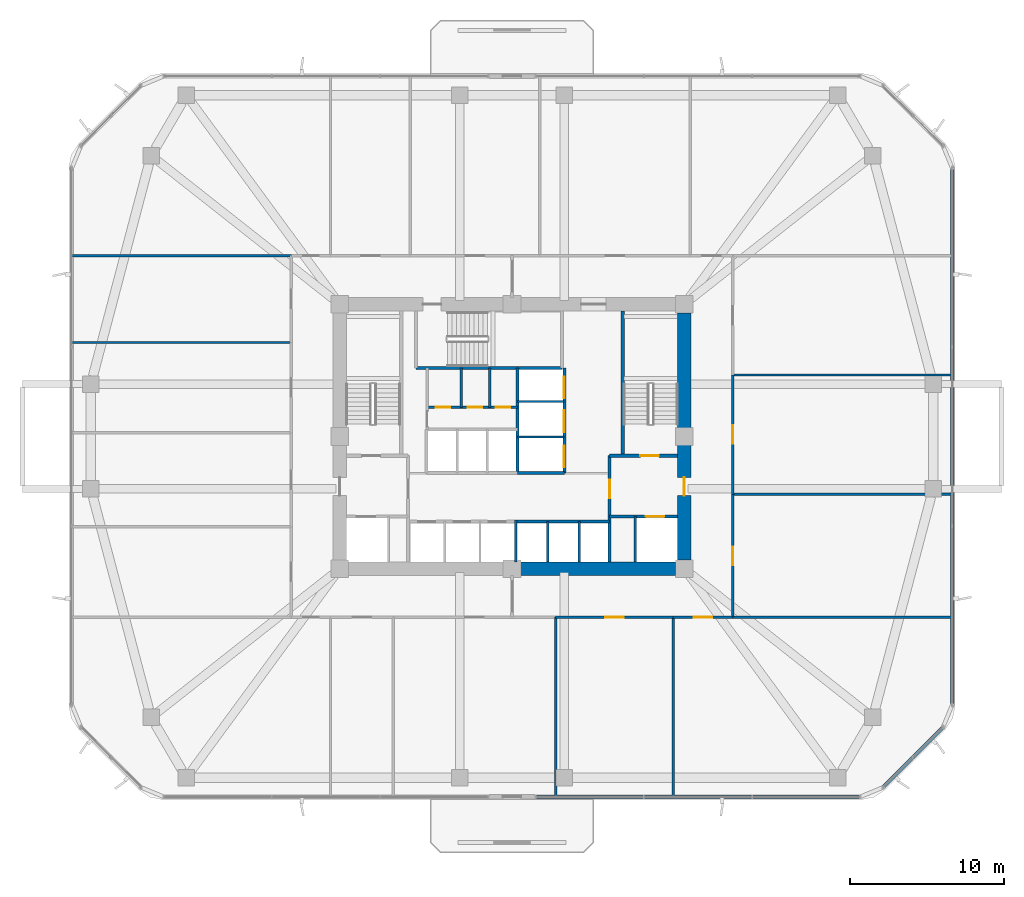
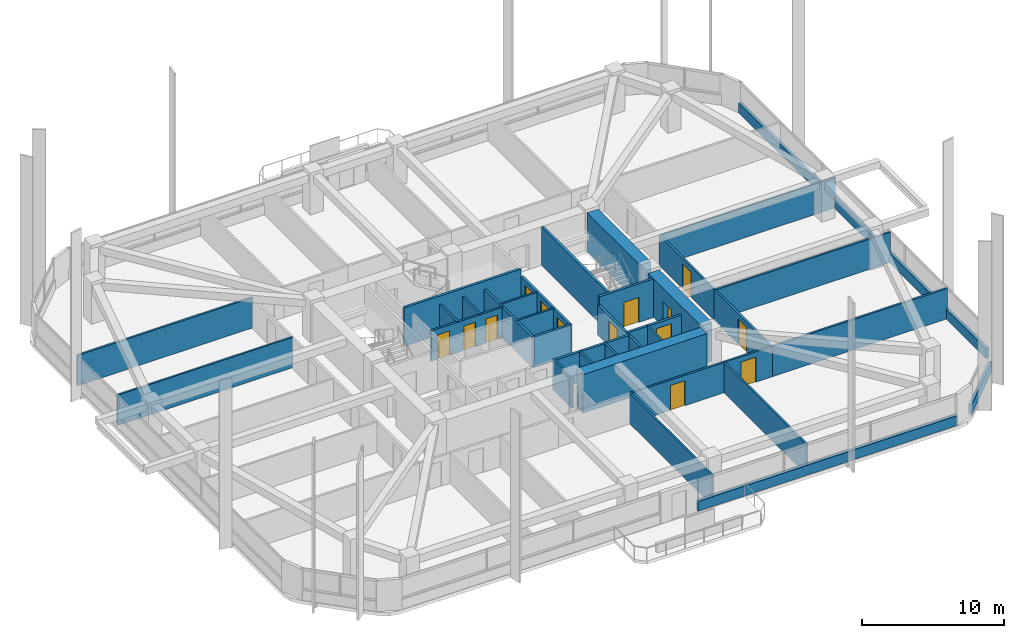
# One storey, part 10 of 17: 35 walls, 14 doors, 14 openings.
"""IFC4 building model written with IfcOpenShell, lengths in metres."""

from ifc_helpers import new_model, si_unit, derived_unit, direction, frame, frame_2d, origin, place, context, subcontext, project, spatial, rectangle, extrude, material, layer, layer_set, type_object, element, fill, save


model = new_model("IFC4")

# Units and contexts
model_context = context("Model", 3, precision=1e-05, world=origin(), true_north=direction((0.0, 1.0)))
body_context = subcontext(model_context, "Body", "Model", "MODEL_VIEW")
ifc_project = project(units=[si_unit("LENGTHUNIT", "METRE"), si_unit("AREAUNIT", "SQUARE_METRE"), si_unit("VOLUMEUNIT", "CUBIC_METRE"), si_unit("PLANEANGLEUNIT", "RADIAN"), si_unit("MASSUNIT", "GRAM", prefix="KILO"), derived_unit("THERMALTRANSMITTANCEUNIT", [(si_unit("POWERUNIT", "WATT"), 1), (si_unit("LENGTHUNIT", "METRE"), -2), (si_unit("THERMODYNAMICTEMPERATUREUNIT", "KELVIN"), -1)])], contexts=[model_context])

# Site, building, storey
site_placement = place(None, origin())
site = spatial("IfcSite", under=ifc_project, at=site_placement, CompositionType="ELEMENT")
building_placement = place(site_placement, origin())
building = spatial("IfcBuilding", under=site, at=building_placement, Name="Koralith Skygarden Medical Center", CompositionType="ELEMENT")
storey_placement = place(building_placement, frame((0.0, 0.0, 52.739990234375)))
storey = spatial("IfcBuildingStorey", under=building, at=storey_placement, Name="L13", CompositionType="ELEMENT", Elevation=52.739990234375)

# Walls
ifc_material_1 = material(Name="Gypsum Board Partition")
ifc_layer_1 = layer(ifc_material_1, 0.14990234375)
ifc_layer_set_1 = layer_set([ifc_layer_1], Name="Gypsum Board Partition")
wall_type_1 = type_object("IfcWallType", Name="Clinical Acoustic Partition 150", PredefinedType="PARTITIONING", material=ifc_layer_set_1)
for number, where, z_axis, x_axis, name in (
    (1, (33.699951171875, 27.800048828125, 0.0), (0.0, 0.0, 1.0), (0.0, 1.0, 0.0), "L13 Clinical Acoustic Partition 150 W-CORE-L13-FLEX-V2A"),
    (2, (35.56005859375, 27.800048828125, 0.0), (0.0, 0.0, 1.0), (0.0, 1.0, 0.0), "L13 Clinical Acoustic Partition 150 W-CORE-L13-FLEX-V2B"),
):
    element("IfcWall", number, at=place(storey_placement, frame(where, z_axis=z_axis, x_axis=x_axis)), inside=storey, type_object=wall_type_1, Name=name, PredefinedType="PARTITIONING", context=body_context, shape_type="SweptSolid", body=[
        extrude(rectangle(XDim=2.56005859375, YDim=0.14990234375, at=frame_2d((1.280029296875, 0.0))), origin(), (0.0, 0.0, 1.0), 2.610107421875),
    ])
for number, where, z_axis, x_axis, name in (
    (3, (39.8349609375, 14.14990234375, 0.0), (0.0, 0.0, 1.0), (0.0, -1.0, 0.0), "L13 Clinical Acoustic Partition 150 W-PART-L13-S-03"),
    (4, (47.47998046875, 14.14990234375, 0.0), (0.0, 0.0, 1.0), (0.0, -1.0, 0.0), "L13 Clinical Acoustic Partition 150 W-PART-L13-S-04"),
):
    element("IfcWall", number, at=place(storey_placement, frame(where, z_axis=z_axis, x_axis=x_axis)), inside=storey, type_object=wall_type_1, Name=name, PredefinedType="PARTITIONING", context=body_context, shape_type="SweptSolid", body=[
        extrude(rectangle(XDim=11.64990234375, YDim=0.14990234375, at=frame_2d((5.824951171875, 0.0))), origin(), (0.0, 0.0, 1.0), 2.610107421875),
    ])
for number, where, z_axis, x_axis, name in (
    (5, (22.64990234375, 32.010009765625, 0.0), (0.0, 0.0, 1.0), (-1.0, 0.0, 0.0), "L13 Clinical Acoustic Partition 150 W-PART-L13-W-03"),
    (6, (51.35009765625, 22.139892578125, 0.0), (0.0, 0.0, 1.0), (1.0, 0.0, 0.0), "L13 Clinical Acoustic Partition 150 W-PART-L13-E-01"),
    (7, (51.35009765625, 29.89501953125, 0.0), (0.0, 0.0, 1.0), (1.0, 0.0, 0.0), "L13 Clinical Acoustic Partition 150 W-PART-L13-E-02"),
):
    element("IfcWall", number, at=place(storey_placement, frame(where, z_axis=z_axis, x_axis=x_axis)), inside=storey, type_object=wall_type_1, Name=name, PredefinedType="PARTITIONING", context=body_context, shape_type="SweptSolid", body=[
        extrude(rectangle(XDim=14.25, YDim=0.14990234375, at=frame_2d((7.125, 0.0))), origin(), (0.0, 0.0, 1.0), 2.610107421875),
    ])
ifc_layer_2 = layer(ifc_material_1, 0.1650390625)
ifc_layer_set_2 = layer_set([ifc_layer_2], Name="Gypsum Board Partition")
wall_type_2 = type_object("IfcWallType", Name="Clinical Corridor Partition 165", PredefinedType="PARTITIONING", material=ifc_layer_set_2)
for number, where, z_axis, x_axis, name in (
    (8, (8.39990234375, 37.64990234375, 0.0), (0.0, 0.0, 1.0), (1.0, 0.0, 0.0), "L13 Clinical Corridor Partition 165 W-WB-L13-NW"),
    (9, (51.35009765625, 14.14990234375, 0.0), (0.0, 0.0, 1.0), (1.0, 0.0, 0.0), "L13 Clinical Corridor Partition 165 W-WB-L13-SE"),
):
    element("IfcWall", number, at=place(storey_placement, frame(where, z_axis=z_axis, x_axis=x_axis)), inside=storey, type_object=wall_type_2, Name=name, PredefinedType="PARTITIONING", context=body_context, shape_type="SweptSolid", body=[
        extrude(rectangle(XDim=14.25, YDim=0.1650390625, at=frame_2d((7.125, 0.0))), origin(), (0.0, 0.0, 1.0), 2.610107421875),
    ])

# Wall, opening, door
wall_1_placement = place(storey_placement, frame((39.8349609375, 14.14990234375, 0.0), z_axis=(0.0, 0.0, 1.0), x_axis=(1.0, 0.0, 0.0)))
wall_1 = element("IfcWall", 10, at=wall_1_placement, inside=storey, type_object=wall_type_2, Name="L13 Clinical Corridor Partition 165 W-CORR-L13-S-04", PredefinedType="PARTITIONING", context=body_context, shape_type="SweptSolid", body=[
    extrude(rectangle(XDim=7.64501953125, YDim=0.1650390625, at=frame_2d((3.822509765625, 0.0))), origin(), (0.0, 0.0, 1.0), 2.610107421875),
])
opening_1_placement = place(wall_1_placement, frame((3.221923828125, 0.0, 0.0)))
opening_1 = element("IfcOpeningElement", 11, at=opening_1_placement, cuts=wall_1, Name="Opening D-CLN", PredefinedType="OPENING", context=body_context, shape_type="SweptSolid", body=[
    extrude(rectangle(XDim=1.199951171875, YDim=2.14990234375, at=frame_2d((0.60009765625, 1.074951171875))), frame((0.0, 0.092529296875, 0.0), z_axis=(0.0, -1.0, 0.0), x_axis=(1.0, 0.0, 0.0)), (0.0, 0.0, 1.0), 0.18505859375),
])
ifc_material_2 = material(Name="Aluminium 6063-T6", Category="aluminium")
door_type_1 = type_object("IfcDoorType", Name="Clinical Corridor Door D-CLN 1200", OperationType="NOTDEFINED", PredefinedType="DOOR", material=ifc_material_2)
door_1_placement = place(opening_1_placement, frame((1.199951171875, 0.0, 0.0), z_axis=(0.0, 0.0, 1.0), x_axis=(-1.0, 0.0, 0.0)))
door_1 = element("IfcDoor", 12, at=door_1_placement, inside=storey, type_object=door_type_1, Name="L13 Hospitality Beverage Pantry 09 Door", OperationType="SINGLE_SWING_RIGHT", OverallHeight=2.14990234375, OverallWidth=1.199951171875, PredefinedType="DOOR", context=body_context, shape_type="SweptSolid", body=[
    extrude(rectangle(XDim=1.199951171875, YDim=2.14990234375, at=frame_2d((0.60009765625, 1.074951171875))), frame((0.0, 0.02490234375, 0.0), z_axis=(0.0, -1.0, 0.0), x_axis=(1.0, 0.0, 0.0)), (0.0, 0.0, 1.0), 0.050048828125),
])
fill(opening_1, door_1)

wall_2_placement = place(storey_placement, frame((47.47998046875, 14.14990234375, 0.0), z_axis=(0.0, 0.0, 1.0), x_axis=(1.0, 0.0, 0.0)))
wall_2 = element("IfcWall", 13, at=wall_2_placement, inside=storey, type_object=wall_type_2, Name="L13 Clinical Corridor Partition 165 W-CORR-L13-S-05", PredefinedType="PARTITIONING", context=body_context, shape_type="SweptSolid", body=[
    extrude(rectangle(XDim=3.8701171875, YDim=0.1650390625, at=frame_2d((1.93505859375, 0.0))), origin(), (0.0, 0.0, 1.0), 2.610107421875),
])
opening_2_placement = place(wall_2_placement, frame((1.3349609375, 0.0, 0.0)))
opening_2 = element("IfcOpeningElement", 14, at=opening_2_placement, cuts=wall_2, Name="Opening D-CLN", PredefinedType="OPENING", context=body_context, shape_type="SweptSolid", body=[
    extrude(rectangle(XDim=1.199951171875, YDim=2.14990234375, at=frame_2d((0.60009765625, 1.074951171875))), frame((0.0, 0.092529296875, 0.0), z_axis=(0.0, -1.0, 0.0), x_axis=(1.0, 0.0, 0.0)), (0.0, 0.0, 1.0), 0.18505859375),
])
door_2_placement = place(opening_2_placement, frame((1.199951171875, 0.0, 0.0), z_axis=(0.0, 0.0, 1.0), x_axis=(-1.0, 0.0, 0.0)))
door_2 = element("IfcDoor", 15, at=door_2_placement, inside=storey, type_object=door_type_1, Name="L13 Academic Faculty Office 10 Door", OperationType="SINGLE_SWING_LEFT", OverallHeight=2.14990234375, OverallWidth=1.199951171875, PredefinedType="DOOR", context=body_context, shape_type="SweptSolid", body=[
    extrude(rectangle(XDim=1.199951171875, YDim=2.14990234375, at=frame_2d((0.60009765625, 1.074951171875))), frame((0.0, 0.02490234375, 0.0), z_axis=(0.0, -1.0, 0.0), x_axis=(1.0, 0.0, 0.0)), (0.0, 0.0, 1.0), 0.050048828125),
])
fill(opening_2, door_2)

wall_3_placement = place(storey_placement, frame((51.35009765625, 14.14990234375, 0.0), z_axis=(0.0, 0.0, 1.0), x_axis=(0.0, 1.0, 0.0)))
wall_3 = element("IfcWall", 16, at=wall_3_placement, inside=storey, type_object=wall_type_2, Name="L13 Clinical Corridor Partition 165 W-CORR-L13-E-01", PredefinedType="PARTITIONING", context=body_context, shape_type="SweptSolid", body=[
    extrude(rectangle(XDim=7.989990234375, YDim=0.1650390625, at=frame_2d((3.9951171875, 0.0))), origin(), (0.0, 0.0, 1.0), 2.610107421875),
])
opening_3_placement = place(wall_3_placement, frame((3.39501953125, 0.0, 0.0)))
opening_3 = element("IfcOpeningElement", 17, at=opening_3_placement, cuts=wall_3, Name="Opening D-CLN", PredefinedType="OPENING", context=body_context, shape_type="SweptSolid", body=[
    extrude(rectangle(XDim=1.199951171875, YDim=2.14990234375, at=frame_2d((0.60009765625, 1.074951171875))), frame((0.0, 0.092529296875, 0.0), z_axis=(0.0, -1.0, 0.0), x_axis=(1.0, 0.0, 0.0)), (0.0, 0.0, 1.0), 0.18505859375),
])
door_3_placement = place(opening_3_placement, origin())
door_3 = element("IfcDoor", 18, at=door_3_placement, inside=storey, type_object=door_type_1, Name="L13 Clinical Simulation Classroom 15 Door", OperationType="SINGLE_SWING_RIGHT", OverallHeight=2.14990234375, OverallWidth=1.199951171875, PredefinedType="DOOR", context=body_context, shape_type="SweptSolid", body=[
    extrude(rectangle(XDim=1.199951171875, YDim=2.14990234375, at=frame_2d((0.60009765625, 1.074951171875))), frame((0.0, 0.02490234375, 0.0), z_axis=(0.0, -1.0, 0.0), x_axis=(1.0, 0.0, 0.0)), (0.0, 0.0, 1.0), 0.050048828125),
])
fill(opening_3, door_3)

wall_4_placement = place(storey_placement, frame((51.35009765625, 22.139892578125, 0.0), z_axis=(0.0, 0.0, 1.0), x_axis=(0.0, 1.0, 0.0)))
wall_4 = element("IfcWall", 19, at=wall_4_placement, inside=storey, type_object=wall_type_2, Name="L13 Clinical Corridor Partition 165 W-CORR-L13-E-02", PredefinedType="PARTITIONING", context=body_context, shape_type="SweptSolid", body=[
    extrude(rectangle(XDim=7.755126953125, YDim=0.1650390625, at=frame_2d((3.87744140625, 0.0))), origin(), (0.0, 0.0, 1.0), 2.610107421875),
])
opening_4_placement = place(wall_4_placement, frame((3.277099609375, 0.0, 0.0)))
opening_4 = element("IfcOpeningElement", 20, at=opening_4_placement, cuts=wall_4, Name="Opening D-CLN", PredefinedType="OPENING", context=body_context, shape_type="SweptSolid", body=[
    extrude(rectangle(XDim=1.199951171875, YDim=2.14990234375, at=frame_2d((0.60009765625, 1.074951171875))), frame((0.0, 0.092529296875, 0.0), z_axis=(0.0, -1.0, 0.0), x_axis=(1.0, 0.0, 0.0)), (0.0, 0.0, 1.0), 0.18505859375),
])
door_4_placement = place(opening_4_placement, origin())
door_4 = element("IfcDoor", 21, at=door_4_placement, inside=storey, type_object=door_type_1, Name="L13 Grand Rounds Conference Room 16 Door", OperationType="SINGLE_SWING_LEFT", OverallHeight=2.14990234375, OverallWidth=1.199951171875, PredefinedType="DOOR", context=body_context, shape_type="SweptSolid", body=[
    extrude(rectangle(XDim=1.199951171875, YDim=2.14990234375, at=frame_2d((0.60009765625, 1.074951171875))), frame((0.0, 0.02490234375, 0.0), z_axis=(0.0, -1.0, 0.0), x_axis=(1.0, 0.0, 0.0)), (0.0, 0.0, 1.0), 0.050048828125),
])
fill(opening_4, door_4)

ifc_layer_3 = layer(ifc_material_1, 0.199951171875)
ifc_layer_set_3 = layer_set([ifc_layer_3], Name="Gypsum Board Partition")
wall_type_3 = type_object("IfcWallType", Name="Fire Shaft Wall 200", PredefinedType="SOLIDWALL", material=ifc_layer_set_3)
wall_5_placement = place(storey_placement, frame((43.35009765625, 20.699951171875, 0.0), z_axis=(0.0, 0.0, 1.0), x_axis=(1.0, 0.0, 0.0)))
wall_5 = element("IfcWall", 22, at=wall_5_placement, inside=storey, type_object=wall_type_3, Name="L13 Fire Shaft Wall 200 W-CORE-L13-FF2-N", PredefinedType="SOLIDWALL", context=body_context, shape_type="SweptSolid", body=[
    extrude(rectangle(XDim=4.39990234375, YDim=0.199951171875, at=frame_2d((2.199951171875, 0.0))), origin(), (0.0, 0.0, 1.0), 2.610107421875),
])
opening_5_placement = place(wall_5_placement, frame((2.35009765625, 0.0, 0.0)))
opening_5 = element("IfcOpeningElement", 23, at=opening_5_placement, cuts=wall_5, Name="Opening LD-FF", PredefinedType="OPENING", context=body_context, shape_type="SweptSolid", body=[
    extrude(rectangle(XDim=1.199951171875, YDim=2.14990234375, at=frame_2d((0.60009765625, 1.074951171875))), frame((0.0, 0.10986328125, 0.0), z_axis=(0.0, -1.0, 0.0), x_axis=(1.0, 0.0, 0.0)), (0.0, 0.0, 1.0), 0.219970703125),
])
ifc_material_3 = material(Name="Steel ASTM A500 Grade C", Category="steel")
door_type_2 = type_object("IfcDoorType", Name="Fire Lift Sliding Landing Door LD-FF 1200", OperationType="NOTDEFINED", PredefinedType="DOOR", material=ifc_material_3)
door_5_placement = place(opening_5_placement, origin())
door_5 = element("IfcDoor", 24, at=door_5_placement, inside=storey, type_object=door_type_2, Name="L13 Fire Service Elevator FF2 Landing Door", OperationType="SLIDING_TO_RIGHT", OverallHeight=2.14990234375, OverallWidth=1.199951171875, PredefinedType="DOOR", context=body_context, shape_type="SweptSolid", body=[
    extrude(rectangle(XDim=1.199951171875, YDim=2.14990234375, at=frame_2d((0.60009765625, 1.074951171875))), frame((0.0, 0.02490234375, 0.0), z_axis=(0.0, -1.0, 0.0), x_axis=(1.0, 0.0, 0.0)), (0.0, 0.0, 1.0), 0.050048828125),
])
fill(opening_5, door_5)

wall_6_placement = place(storey_placement, frame((43.35009765625, 17.75, 0.0), z_axis=(0.0, 0.0, 1.0), x_axis=(0.0, 1.0, 0.0)))
wall_6 = element("IfcWall", 25, at=wall_6_placement, inside=storey, type_object=wall_type_3, Name="L13 Fire Shaft Wall 200 W-CORE-L13-FSAEE-W", PredefinedType="SOLIDWALL", context=body_context, shape_type="SweptSolid", body=[
    extrude(rectangle(XDim=6.89990234375, YDim=0.199951171875, at=frame_2d((3.449951171875, 0.0))), origin(), (0.0, 0.0, 1.0), 2.610107421875),
])
opening_6_placement = place(wall_6_placement, frame((4.14990234375, 0.0, 0.0)))
opening_6 = element("IfcOpeningElement", 26, at=opening_6_placement, cuts=wall_6, Name="Opening D-ST60", PredefinedType="OPENING", context=body_context, shape_type="SweptSolid", body=[
    extrude(rectangle(XDim=1.199951171875, YDim=2.14990234375, at=frame_2d((0.60009765625, 1.074951171875))), frame((0.0, 0.10986328125, 0.0), z_axis=(0.0, -1.0, 0.0), x_axis=(1.0, 0.0, 0.0)), (0.0, 0.0, 1.0), 0.219970703125),
])
door_type_3 = type_object("IfcDoorType", Name="Smokeproof Stair Fire Door FD60S 1200", OperationType="NOTDEFINED", PredefinedType="DOOR", material=ifc_material_3)
door_6_placement = place(opening_6_placement, frame((1.199951171875, 0.0, 0.0), z_axis=(0.0, 0.0, 1.0), x_axis=(-1.0, 0.0, 0.0)))
door_6 = element("IfcDoor", 27, at=door_6_placement, inside=storey, type_object=door_type_3, Name="L13 East Firefighting Lobby Inner Fire Door", OperationType="SINGLE_SWING_RIGHT", OverallHeight=2.14990234375, OverallWidth=1.199951171875, PredefinedType="DOOR", context=body_context, shape_type="SweptSolid", body=[
    extrude(rectangle(XDim=1.199951171875, YDim=2.14990234375, at=frame_2d((0.60009765625, 1.074951171875))), frame((0.0, 0.02490234375, 0.0), z_axis=(0.0, -1.0, 0.0), x_axis=(1.0, 0.0, 0.0)), (0.0, 0.0, 1.0), 0.050048828125),
])
fill(opening_6, door_6)

# Walls
wall_7_placement = place(storey_placement, frame((37.25, 20.360107421875, 0.0), z_axis=(0.0, 0.0, 1.0), x_axis=(1.0, 0.0, 0.0)))
element("IfcWall", 28, at=wall_7_placement, inside=storey, type_object=wall_type_3, Name="L13 Fire Shaft Wall 200 W-CORE-L13-PM-N", PredefinedType="SOLIDWALL", context=body_context, shape_type="SweptSolid", body=[
    extrude(rectangle(XDim=6.10009765625, YDim=0.199951171875, at=frame_2d((3.050048828125, 0.0))), origin(), (0.0, 0.0, 1.0), 2.610107421875),
])
wall_8_placement = place(storey_placement, frame((37.35009765625, 23.5400390625, 0.0), z_axis=(0.0, 0.0, 1.0), x_axis=(0.0, 1.0, 0.0)))
element("IfcWall", 29, at=wall_8_placement, inside=storey, type_object=wall_type_3, Name="L13 Fire Shaft Wall 200 W-CORE-L13-SV-W", PredefinedType="SOLIDWALL", context=body_context, shape_type="SweptSolid", body=[
    extrude(rectangle(XDim=6.820068359375, YDim=0.199951171875, at=frame_2d((3.41015625, 0.0))), origin(), (0.0, 0.0, 1.0), 2.610107421875),
])
wall_9_placement = place(storey_placement, frame((37.35009765625, 23.5400390625, 0.0), z_axis=(0.0, 0.0, 1.0), x_axis=(1.0, 0.0, 0.0)))
element("IfcWall", 30, at=wall_9_placement, inside=storey, type_object=wall_type_3, Name="L13 Fire Shaft Wall 200 W-CORE-L13-SV-S", PredefinedType="SOLIDWALL", context=body_context, shape_type="SweptSolid", body=[
    extrude(rectangle(XDim=3.0498046875, YDim=0.199951171875, at=frame_2d((1.52490234375, 0.0))), origin(), (0.0, 0.0, 1.0), 2.610107421875),
])

# Wall, openings, doors
wall_10_placement = place(storey_placement, frame((40.39990234375, 23.5400390625, 0.0), z_axis=(0.0, 0.0, 1.0), x_axis=(0.0, 1.0, 0.0)))
wall_10 = element("IfcWall", 31, at=wall_10_placement, inside=storey, type_object=wall_type_3, Name="L13 Fire Shaft Wall 200 W-CORE-L13-SV-E", PredefinedType="SOLIDWALL", context=body_context, shape_type="SweptSolid", body=[
    extrude(rectangle(XDim=6.820068359375, YDim=0.199951171875, at=frame_2d((3.41015625, 0.0))), origin(), (0.0, 0.0, 1.0), 2.610107421875),
])
opening_7_placement = place(wall_10_placement, frame((0.35009765625, 0.0, 0.0)))
opening_7 = element("IfcOpeningElement", 32, at=opening_7_placement, cuts=wall_10, Name="Opening LD-SV", PredefinedType="OPENING", context=body_context, shape_type="SweptSolid", body=[
    extrude(rectangle(XDim=1.39990234375, YDim=2.199951171875, at=frame_2d((0.699951171875, 1.10009765625))), frame((0.0, 0.10986328125, 0.0), z_axis=(0.0, -1.0, 0.0), x_axis=(1.0, 0.0, 0.0)), (0.0, 0.0, 1.0), 0.219970703125),
])
opening_8_placement = place(wall_10_placement, frame((2.64990234375, 0.0, 0.0)))
opening_8 = element("IfcOpeningElement", 33, at=opening_8_placement, cuts=wall_10, Name="Opening LD-SV", PredefinedType="OPENING", context=body_context, shape_type="SweptSolid", body=[
    extrude(rectangle(XDim=1.39990234375, YDim=2.199951171875, at=frame_2d((0.699951171875, 1.10009765625))), frame((0.0, 0.10986328125, 0.0), z_axis=(0.0, -1.0, 0.0), x_axis=(1.0, 0.0, 0.0)), (0.0, 0.0, 1.0), 0.219970703125),
])
opening_9_placement = place(wall_10_placement, frame((4.85009765625, 0.0, 0.0)))
opening_9 = element("IfcOpeningElement", 34, at=opening_9_placement, cuts=wall_10, Name="Opening LD-SV", PredefinedType="OPENING", context=body_context, shape_type="SweptSolid", body=[
    extrude(rectangle(XDim=1.39990234375, YDim=2.199951171875, at=frame_2d((0.699951171875, 1.10009765625))), frame((0.0, 0.10986328125, 0.0), z_axis=(0.0, -1.0, 0.0), x_axis=(1.0, 0.0, 0.0)), (0.0, 0.0, 1.0), 0.219970703125),
])
door_type_4 = type_object("IfcDoorType", Name="Bed Lift Sliding Landing Door LD-SV 1400", OperationType="NOTDEFINED", PredefinedType="DOOR", material=ifc_material_3)
door_7_placement = place(opening_7_placement, origin())
door_7 = element("IfcDoor", 35, at=door_7_placement, inside=storey, type_object=door_type_4, Name="L13 Bed Elevator BD1 Landing Door", OperationType="SLIDING_TO_LEFT", OverallHeight=2.199951171875, OverallWidth=1.39990234375, PredefinedType="DOOR", context=body_context, shape_type="SweptSolid", body=[
    extrude(rectangle(XDim=1.39990234375, YDim=2.199951171875, at=frame_2d((0.699951171875, 1.10009765625))), frame((0.0, 0.02490234375, 0.0), z_axis=(0.0, -1.0, 0.0), x_axis=(1.0, 0.0, 0.0)), (0.0, 0.0, 1.0), 0.050048828125),
])
fill(opening_7, door_7)
door_8_placement = place(opening_8_placement, origin())
door_8 = element("IfcDoor", 36, at=door_8_placement, inside=storey, type_object=door_type_4, Name="L13 Service Elevator BD2 Landing Door", OperationType="SLIDING_TO_LEFT", OverallHeight=2.199951171875, OverallWidth=1.39990234375, PredefinedType="DOOR", context=body_context, shape_type="SweptSolid", body=[
    extrude(rectangle(XDim=1.39990234375, YDim=2.199951171875, at=frame_2d((0.699951171875, 1.10009765625))), frame((0.0, 0.02490234375, 0.0), z_axis=(0.0, -1.0, 0.0), x_axis=(1.0, 0.0, 0.0)), (0.0, 0.0, 1.0), 0.050048828125),
])
fill(opening_8, door_8)
door_9_placement = place(opening_9_placement, origin())
door_9 = element("IfcDoor", 37, at=door_9_placement, inside=storey, type_object=door_type_4, Name="L13 Trauma Elevator TR1 Landing Door", OperationType="SLIDING_TO_RIGHT", OverallHeight=2.199951171875, OverallWidth=1.39990234375, PredefinedType="DOOR", context=body_context, shape_type="SweptSolid", body=[
    extrude(rectangle(XDim=1.39990234375, YDim=2.199951171875, at=frame_2d((0.699951171875, 1.10009765625))), frame((0.0, 0.02490234375, 0.0), z_axis=(0.0, -1.0, 0.0), x_axis=(1.0, 0.0, 0.0)), (0.0, 0.0, 1.0), 0.050048828125),
])
fill(opening_9, door_9)

# Walls
ifc_material_4 = material(Name="Warm Oolitic Limestone Cladding", Category="masonry")
ifc_layer_4 = layer(ifc_material_4, 0.239990234375)
ifc_layer_set_4 = layer_set([ifc_layer_4], Name="Warm Oolitic Limestone Cladding")
wall_type_4 = type_object("IfcWallType", Name="Limestone Spandrel Sill Backup Wall 240", PredefinedType="SOLIDWALL", material=ifc_layer_set_4)
wall_11_placement = place(storey_placement, frame((38.5400390625, 2.47998046875, 0.0), z_axis=(0.0, 0.0, 1.0), x_axis=(1.0, 0.0, 0.0)))
element("IfcWall", 38, at=wall_11_placement, inside=storey, type_object=wall_type_4, Name="L13 Sill Spandrel S-R", PredefinedType="SOLIDWALL", context=body_context, shape_type="SweptSolid", body=[
    extrude(rectangle(XDim=21.10498046875, YDim=0.239990234375, at=frame_2d((10.552490234375, 0.0))), origin(), (0.0, 0.0, 1.0), 0.85009765625),
])
wall_12_placement = place(storey_placement, frame((61.095947265625, 3.0810546875, 0.0), z_axis=(0.0, 0.0, 1.0), x_axis=(0.707128783731, 0.707084777957, 0.0)))
element("IfcWall", 39, at=wall_12_placement, inside=storey, type_object=wall_type_4, Name="L13 Sill Spandrel SE", PredefinedType="SOLIDWALL", context=body_context, shape_type="SweptSolid", body=[
    extrude(rectangle(XDim=5.5478515625, YDim=0.239990234375, at=frame_2d((2.77392578125, 0.0))), origin(), (0.0, 0.0, 1.0), 0.85009765625),
])
wall_13_placement = place(storey_placement, frame((65.6201171875, 8.455078125, 0.0), z_axis=(0.0, 0.0, 1.0), x_axis=(0.0, 1.0, 0.0)))
element("IfcWall", 40, at=wall_13_placement, inside=storey, type_object=wall_type_4, Name="L13 Sill Spandrel E", PredefinedType="SOLIDWALL", context=body_context, shape_type="SweptSolid", body=[
    extrude(rectangle(XDim=34.889892578125, YDim=0.239990234375, at=frame_2d((17.44482421875, 0.0))), origin(), (0.0, 0.0, 1.0), 0.85009765625),
])
ifc_material_5 = material(Name="Concrete C70/85", Category="concrete")
ifc_layer_5 = layer(ifc_material_5, 0.89990234375)
ifc_layer_set_5 = layer_set([ifc_layer_5], Name="Concrete C70/85")
wall_type_5 = type_object("IfcWallType", Name="Lower Core Shear Wall 900", PredefinedType="SHEAR", material=ifc_layer_set_5)
wall_14_placement = place(storey_placement, frame((37.56494140625, 17.300048828125, 0.0), z_axis=(0.0, 0.0, 1.0), x_axis=(1.0, 0.0, 0.0)))
element("IfcWall", 41, at=wall_14_placement, inside=storey, type_object=wall_type_5, Name="L13 Core Shear Wall Segment 2", PredefinedType="SHEAR", context=body_context, shape_type="SweptSolid", body=[
    extrude(rectangle(XDim=10.070068359375, YDim=0.89990234375, at=frame_2d((5.03515625, 0.0))), origin(), (0.0, 0.0, 1.0), 3.320068359375),
])

# Wall, opening, door
wall_15_placement = place(storey_placement, frame((48.199951171875, 17.864990234375, 0.0), z_axis=(0.0, 0.0, 1.0), x_axis=(0.0, 1.0, 0.0)))
wall_15 = element("IfcWall", 42, at=wall_15_placement, inside=storey, type_object=wall_type_5, Name="L13 Core Shear Wall Segment 3", PredefinedType="SHEAR", context=body_context, shape_type="SweptSolid", body=[
    extrude(rectangle(XDim=7.469970703125, YDim=0.89990234375, at=frame_2d((3.73486328125, 0.0))), origin(), (0.0, 0.0, 1.0), 3.320068359375),
])
opening_10_placement = place(wall_15_placement, frame((4.18505859375, 0.0, 0.0)))
opening_10 = element("IfcOpeningElement", 43, at=opening_10_placement, cuts=wall_15, Name="Opening D-ST60", PredefinedType="OPENING", context=body_context, shape_type="SweptSolid", body=[
    extrude(rectangle(XDim=1.199951171875, YDim=2.14990234375, at=frame_2d((0.60009765625, 1.074951171875))), frame((0.0, 0.4599609375, 0.0), z_axis=(0.0, -1.0, 0.0), x_axis=(1.0, 0.0, 0.0)), (0.0, 0.0, 1.0), 0.919921875),
])
door_10_placement = place(opening_10_placement, frame((1.199951171875, 0.0, 0.0), z_axis=(0.0, 0.0, 1.0), x_axis=(-1.0, 0.0, 0.0)))
door_10 = element("IfcDoor", 44, at=door_10_placement, inside=storey, type_object=door_type_3, Name="L13 East Corridor to Firefighting Lobby Door", OperationType="SINGLE_SWING_RIGHT", OverallHeight=2.14990234375, OverallWidth=1.199951171875, PredefinedType="DOOR", context=body_context, shape_type="SweptSolid", body=[
    extrude(rectangle(XDim=1.199951171875, YDim=2.14990234375, at=frame_2d((0.60009765625, 1.074951171875))), frame((0.0, 0.02490234375, 0.0), z_axis=(0.0, -1.0, 0.0), x_axis=(1.0, 0.0, 0.0)), (0.0, 0.0, 1.0), 0.050048828125),
])
fill(opening_10, door_10)

# Wall
wall_16_placement = place(storey_placement, frame((48.199951171875, 26.465087890625, 0.0), z_axis=(0.0, 0.0, 1.0), x_axis=(0.0, 1.0, 0.0)))
element("IfcWall", 45, at=wall_16_placement, inside=storey, type_object=wall_type_5, Name="L13 Core Shear Wall Segment 4", PredefinedType="SHEAR", context=body_context, shape_type="SweptSolid", body=[
    extrude(rectangle(XDim=7.469970703125, YDim=0.89990234375, at=frame_2d((3.73486328125, 0.0))), origin(), (0.0, 0.0, 1.0), 3.320068359375),
])

# Wall, openings, doors
ifc_layer_6 = layer(ifc_material_1, 0.1650390625)
ifc_layer_set_6 = layer_set([ifc_layer_6], Name="Gypsum Board Partition")
wall_type_6 = type_object("IfcWallType", Name="Plumbing Wet Wall 165", PredefinedType="PLUMBINGWALL", material=ifc_layer_set_6)
wall_17_placement = place(storey_placement, frame((31.47998046875, 27.800048828125, 0.0), z_axis=(0.0, 0.0, 1.0), x_axis=(1.0, 0.0, 0.0)))
wall_17 = element("IfcWall", 46, at=wall_17_placement, inside=storey, type_object=wall_type_6, Name="L13 Plumbing Wet Wall 165 W-CORE-L13-FLEX-H2", PredefinedType="PLUMBINGWALL", context=body_context, shape_type="SweptSolid", body=[
    extrude(rectangle(XDim=5.8701171875, YDim=0.1650390625, at=frame_2d((2.93505859375, 0.0))), origin(), (0.0, 0.0, 1.0), 2.610107421875),
])
opening_11_placement = place(wall_17_placement, frame((0.550048828125, 0.0, 0.0)))
opening_11 = element("IfcOpeningElement", 47, at=opening_11_placement, cuts=wall_17, Name="Opening D-WC", PredefinedType="OPENING", context=body_context, shape_type="SweptSolid", body=[
    extrude(rectangle(XDim=0.949951171875, YDim=2.10009765625, at=frame_2d((0.47509765625, 1.050048828125))), frame((0.0, 0.092529296875, 0.0), z_axis=(0.0, -1.0, 0.0), x_axis=(1.0, 0.0, 0.0)), (0.0, 0.0, 1.0), 0.18505859375),
])
opening_12_placement = place(wall_17_placement, frame((2.64990234375, 0.0, 0.0)))
opening_12 = element("IfcOpeningElement", 48, at=opening_12_placement, cuts=wall_17, Name="Opening D-WC", PredefinedType="OPENING", context=body_context, shape_type="SweptSolid", body=[
    extrude(rectangle(XDim=0.949951171875, YDim=2.10009765625, at=frame_2d((0.47509765625, 1.050048828125))), frame((0.0, 0.092529296875, 0.0), z_axis=(0.0, -1.0, 0.0), x_axis=(1.0, 0.0, 0.0)), (0.0, 0.0, 1.0), 0.18505859375),
])
opening_13_placement = place(wall_17_placement, frame((4.449951171875, 0.0, 0.0)))
opening_13 = element("IfcOpeningElement", 49, at=opening_13_placement, cuts=wall_17, Name="Opening D-WC", PredefinedType="OPENING", context=body_context, shape_type="SweptSolid", body=[
    extrude(rectangle(XDim=0.949951171875, YDim=2.10009765625, at=frame_2d((0.47509765625, 1.050048828125))), frame((0.0, 0.092529296875, 0.0), z_axis=(0.0, -1.0, 0.0), x_axis=(1.0, 0.0, 0.0)), (0.0, 0.0, 1.0), 0.18505859375),
])
door_type_5 = type_object("IfcDoorType", Name="Accessible Toilet Door D-WC 950", OperationType="NOTDEFINED", PredefinedType="DOOR", material=ifc_material_2)
door_11_placement = place(opening_11_placement, origin())
door_11 = element("IfcDoor", 50, at=door_11_placement, inside=storey, type_object=door_type_5, Name="L13 Core Accessible WC Door", OperationType="SINGLE_SWING_LEFT", OverallHeight=2.10009765625, OverallWidth=0.949951171875, PredefinedType="DOOR", context=body_context, shape_type="SweptSolid", body=[
    extrude(rectangle(XDim=0.949951171875, YDim=2.10009765625, at=frame_2d((0.47509765625, 1.050048828125))), frame((0.0, 0.02490234375, 0.0), z_axis=(0.0, -1.0, 0.0), x_axis=(1.0, 0.0, 0.0)), (0.0, 0.0, 1.0), 0.050048828125),
])
fill(opening_11, door_11)
door_12_placement = place(opening_12_placement, origin())
door_12 = element("IfcDoor", 51, at=door_12_placement, inside=storey, type_object=door_type_5, Name="L13 Soiled Sluice Door", OperationType="SINGLE_SWING_LEFT", OverallHeight=2.10009765625, OverallWidth=0.949951171875, PredefinedType="DOOR", context=body_context, shape_type="SweptSolid", body=[
    extrude(rectangle(XDim=0.949951171875, YDim=2.10009765625, at=frame_2d((0.47509765625, 1.050048828125))), frame((0.0, 0.02490234375, 0.0), z_axis=(0.0, -1.0, 0.0), x_axis=(1.0, 0.0, 0.0)), (0.0, 0.0, 1.0), 0.050048828125),
])
fill(opening_12, door_12)
door_13_placement = place(opening_13_placement, origin())
door_13 = element("IfcDoor", 52, at=door_13_placement, inside=storey, type_object=door_type_5, Name="L13 Clean Linen Store Door", OperationType="SINGLE_SWING_RIGHT", OverallHeight=2.10009765625, OverallWidth=0.949951171875, PredefinedType="DOOR", context=body_context, shape_type="SweptSolid", body=[
    extrude(rectangle(XDim=0.949951171875, YDim=2.10009765625, at=frame_2d((0.47509765625, 1.050048828125))), frame((0.0, 0.02490234375, 0.0), z_axis=(0.0, -1.0, 0.0), x_axis=(1.0, 0.0, 0.0)), (0.0, 0.0, 1.0), 0.050048828125),
])
fill(opening_13, door_13)

# Walls
ifc_layer_7 = layer(ifc_material_1, 0.14990234375)
ifc_layer_set_7 = layer_set([ifc_layer_7], Name="Gypsum Board Partition")
wall_type_7 = type_object("IfcWallType", Name="Shaft Partition Wall 150", PredefinedType="PARTITIONING", material=ifc_layer_set_7)
wall_18_placement = place(storey_placement, frame((45.02001953125, 17.75, 0.0), z_axis=(0.0, 0.0, 1.0), x_axis=(0.0, 1.0, 0.0)))
element("IfcWall", 53, at=wall_18_placement, inside=storey, type_object=wall_type_7, Name="L13 Shaft Partition Wall 150 W-CORE-L13-RSRE-DIV", PredefinedType="PARTITIONING", context=body_context, shape_type="SweptSolid", body=[
    extrude(rectangle(XDim=2.949951171875, YDim=0.14990234375, at=frame_2d((1.47509765625, 0.0))), origin(), (0.0, 0.0, 1.0), 2.610107421875),
])
for number, where, z_axis, x_axis, name in (
    (54, (39.320068359375, 17.75, 0.0), (0.0, 0.0, 1.0), (0.0, 1.0, 0.0), "L13 Shaft Partition Wall 150 W-CORE-L13-PM-D1"),
    (55, (41.3701171875, 17.75, 0.0), (0.0, 0.0, 1.0), (0.0, 1.0, 0.0), "L13 Shaft Partition Wall 150 W-CORE-L13-PM-D2"),
):
    element("IfcWall", number, at=place(storey_placement, frame(where, z_axis=z_axis, x_axis=x_axis)), inside=storey, type_object=wall_type_7, Name=name, PredefinedType="PARTITIONING", context=body_context, shape_type="SweptSolid", body=[
        extrude(rectangle(XDim=2.610107421875, YDim=0.14990234375, at=frame_2d((1.30517578125, 0.0))), origin(), (0.0, 0.0, 1.0), 2.610107421875),
    ])
wall_19_placement = place(storey_placement, frame((37.25, 17.75, 0.0), z_axis=(0.0, 0.0, 1.0), x_axis=(0.0, 1.0, 0.0)))
element("IfcWall", 56, at=wall_19_placement, inside=storey, type_object=wall_type_7, Name="L13 Shaft Partition Wall 150 W-CORE-L13-PL-PM-SEP", PredefinedType="PARTITIONING", context=body_context, shape_type="SweptSolid", body=[
    extrude(rectangle(XDim=2.72998046875, YDim=0.14990234375, at=frame_2d((1.364990234375, 0.0))), origin(), (0.0, 0.0, 1.0), 2.610107421875),
])
for number, where, z_axis, x_axis, name in (
    (57, (37.3701171875, 25.8701171875, 0.0), (0.0, 0.0, 1.0), (1.0, 0.0, 0.0), "L13 Shaft Partition Wall 150 W-CORE-L13-SV-D1"),
    (58, (37.3701171875, 28.169921875, 0.0), (0.0, 0.0, 1.0), (1.0, 0.0, 0.0), "L13 Shaft Partition Wall 150 W-CORE-L13-SV-D2"),
):
    element("IfcWall", number, at=place(storey_placement, frame(where, z_axis=z_axis, x_axis=x_axis)), inside=storey, type_object=wall_type_7, Name=name, PredefinedType="PARTITIONING", context=body_context, shape_type="SweptSolid", body=[
        extrude(rectangle(XDim=3.009765625, YDim=0.14990234375, at=frame_2d((1.5048828125, 0.0))), origin(), (0.0, 0.0, 1.0), 2.610107421875),
    ])
ifc_material_6 = material(Name="Concrete C45/55", Category="concrete")
ifc_layer_8 = layer(ifc_material_6, 0.199951171875)
ifc_layer_set_8 = layer_set([ifc_layer_8], Name="Concrete C45/55")
wall_type_8 = type_object("IfcWallType", Name="Structural Stair Shaft Wall 200", PredefinedType="SHEAR", material=ifc_layer_set_8)
wall_20_placement = place(storey_placement, frame((44.199951171875, 24.64990234375, 0.0), z_axis=(0.0, 0.0, 1.0), x_axis=(0.0, 1.0, 0.0)))
element("IfcWall", 59, at=wall_20_placement, inside=storey, type_object=wall_type_8, Name="L13 Structural Stair Shaft Wall 200 W-CORE-L13-ST2-W", PredefinedType="SHEAR", context=body_context, shape_type="SweptSolid", body=[
    extrude(rectangle(XDim=9.400146484375, YDim=0.199951171875, at=frame_2d((4.7001953125, 0.0))), origin(), (0.0, 0.0, 1.0), 3.320068359375),
])

# Wall, opening, door
wall_21_placement = place(storey_placement, frame((43.35009765625, 24.64990234375, 0.0), z_axis=(0.0, 0.0, 1.0), x_axis=(1.0, 0.0, 0.0)))
wall_21 = element("IfcWall", 60, at=wall_21_placement, inside=storey, type_object=wall_type_8, Name="L13 Structural Stair Shaft Wall 200 W-CORE-L13-ST2-S", PredefinedType="SHEAR", context=body_context, shape_type="SweptSolid", body=[
    extrude(rectangle(XDim=4.39990234375, YDim=0.199951171875, at=frame_2d((2.199951171875, 0.0))), origin(), (0.0, 0.0, 1.0), 3.320068359375),
])
opening_14_placement = place(wall_21_placement, frame((2.0, 0.0, 0.0)))
opening_14 = element("IfcOpeningElement", 61, at=opening_14_placement, cuts=wall_21, Name="Opening D-ST60", PredefinedType="OPENING", context=body_context, shape_type="SweptSolid", body=[
    extrude(rectangle(XDim=1.199951171875, YDim=2.14990234375, at=frame_2d((0.60009765625, 1.074951171875))), frame((0.0, 0.10986328125, 0.0), z_axis=(0.0, -1.0, 0.0), x_axis=(1.0, 0.0, 0.0)), (0.0, 0.0, 1.0), 0.219970703125),
])
door_14_placement = place(opening_14_placement, origin())
door_14 = element("IfcDoor", 62, at=door_14_placement, inside=storey, type_object=door_type_3, Name="L13 Exit Stair ST2 Fire Door", OperationType="SINGLE_SWING_RIGHT", OverallHeight=2.14990234375, OverallWidth=1.199951171875, PredefinedType="DOOR", context=body_context, shape_type="SweptSolid", body=[
    extrude(rectangle(XDim=1.199951171875, YDim=2.14990234375, at=frame_2d((0.60009765625, 1.074951171875))), frame((0.0, 0.02490234375, 0.0), z_axis=(0.0, -1.0, 0.0), x_axis=(1.0, 0.0, 0.0)), (0.0, 0.0, 1.0), 0.050048828125),
])
fill(opening_14, door_14)

# Wall
wall_22_placement = place(storey_placement, frame((30.75, 30.360107421875, 0.0), z_axis=(0.0, 0.0, 1.0), x_axis=(1.0, 0.0, 0.0)))
element("IfcWall", 63, at=wall_22_placement, inside=storey, type_object=wall_type_8, Name="L13 Structural Stair Shaft Wall 200 W-CORE-L13-ST3-S", PredefinedType="SHEAR", context=body_context, shape_type="SweptSolid", body=[
    extrude(rectangle(XDim=9.5, YDim=0.199951171875, at=frame_2d((4.75, 0.0))), origin(), (0.0, 0.0, 1.0), 3.320068359375),
])

save(model, "model.ifc")
